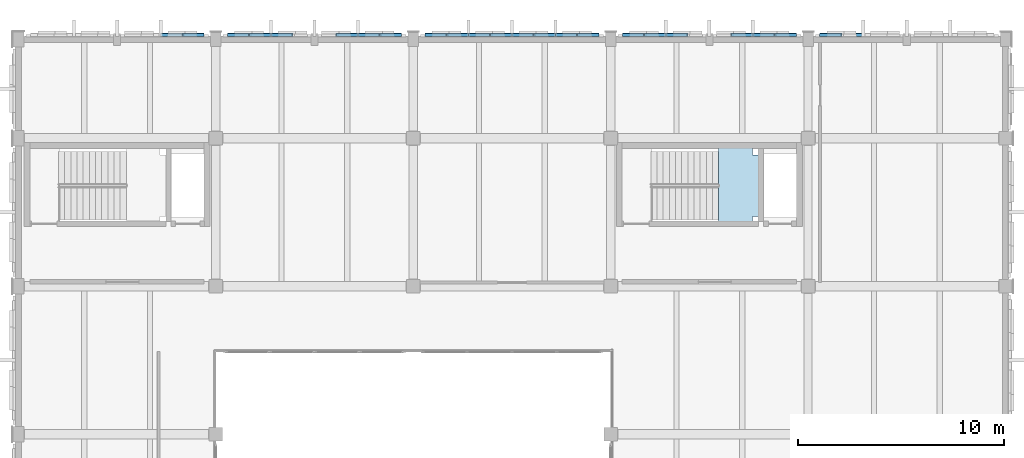
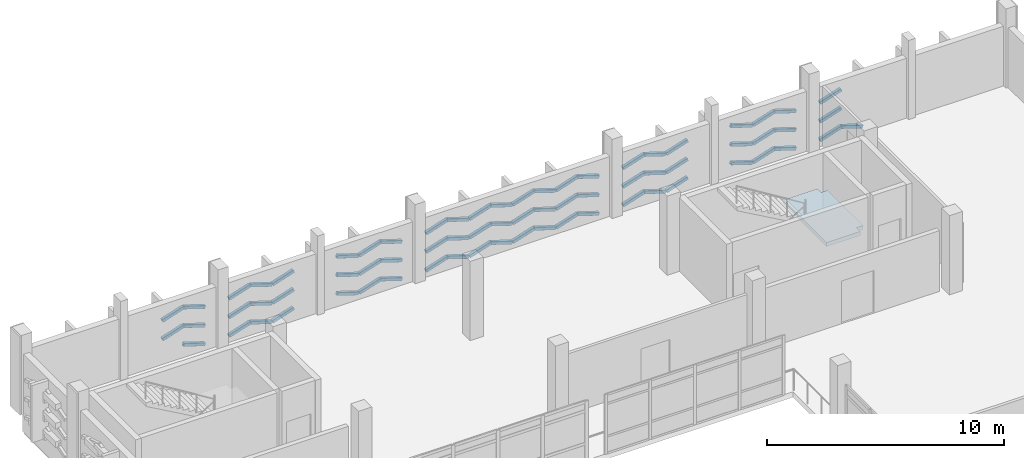
# One storey, part 43 of 72: 69 plates, 1 slab, 1 element without a shape of its own.
"""IFC4 building model written with IfcOpenShell, lengths in metres."""

from ifc_helpers import new_model, si_unit, direction, frame, origin, origin_2d, place, context, subcontext, project, spatial, polyline, hollow_rectangle, outline, extrude, material, layer, layer_set, material_profile, profile_set, type_object, element, aggregate, save


model = new_model("IFC4")

# Units and contexts
model_context = context("Model", 3, precision=1e-05, world=origin(), true_north=direction((0.0, 1.0)))
body_context = subcontext(model_context, "Body", "Model", "MODEL_VIEW")
ifc_project = project(units=[si_unit("LENGTHUNIT", "METRE"), si_unit("AREAUNIT", "SQUARE_METRE"), si_unit("VOLUMEUNIT", "CUBIC_METRE"), si_unit("PLANEANGLEUNIT", "RADIAN"), si_unit("MASSUNIT", "GRAM", prefix="KILO")], contexts=[model_context])

# Site, building, storey
site_placement = place(None, origin())
site = spatial("IfcSite", under=ifc_project, at=site_placement, CompositionType="ELEMENT")
building_placement = place(site_placement, origin())
building = spatial("IfcBuilding", under=site, at=building_placement, Name="Asteropetra Specialist Clinic", CompositionType="ELEMENT")
storey_placement = place(building_placement, frame((0.0, 0.0, 12.580078125)))
storey = spatial("IfcBuildingStorey", under=building, at=storey_placement, Name="L03", CompositionType="ELEMENT", Elevation=12.580078125)

# Plates
ifc_material_1 = material(Name="Chevron emerald aluminium 6063-T6", Category="aluminium")
ifc_material_profile = material_profile(ifc_material_1, hollow_rectangle(XDim=0.159912109375, YDim=0.159912109375, WallThickness=0.008056640625, InnerFilletRadius=0.008056640625, OuterFilletRadius=0.01611328125, at=origin_2d()), Name="SHS 160x160x8.0")
ifc_profile_set = profile_set([ifc_material_profile], Name="Chevron emerald aluminium 6063-T6")
plate_type = type_object("IfcPlateType", Name="CHV-RIB-160", PredefinedType="SHEET", material=ifc_profile_set)
plate_1_placement = place(storey_placement, frame((9.010009765625, 110.6220703125, 0.059814453125), z_axis=(-0.952021547516, 0.0, 0.306031000169), x_axis=(0.0, -1.0, 0.0)))
element("IfcPlate", 1, at=plate_1_placement, inside=storey, type_object=plate_type, Name="Chevron Facade Screen Fin CVR-1209", PredefinedType="SHEET", context=body_context, shape_type="SweptSolid", body=[
    extrude(hollow_rectangle(XDim=0.159912109375, YDim=0.159912109375, WallThickness=0.008056640625, InnerFilletRadius=0.008056640625, OuterFilletRadius=0.01611328125, at=origin_2d()), origin(), (0.0, 0.0, 1.0), 1.086669921875),
])
plate_2_placement = place(storey_placement, frame((9.010009765625, 110.6220703125, 1.02001953125), z_axis=(-0.952086993927, 0.0, 0.30582733036), x_axis=(0.0, -1.0, 0.0)))
element("IfcPlate", 2, at=plate_2_placement, inside=storey, type_object=plate_type, Name="Chevron Facade Screen Fin CVR-1211", PredefinedType="SHEET", context=body_context, shape_type="SweptSolid", body=[
    extrude(hollow_rectangle(XDim=0.159912109375, YDim=0.159912109375, WallThickness=0.008056640625, InnerFilletRadius=0.008056640625, OuterFilletRadius=0.01611328125, at=origin_2d()), origin(), (0.0, 0.0, 1.0), 1.08642578125),
])
plate_3_placement = place(storey_placement, frame((7.9755859375, 110.6220703125, 1.352294921875), z_axis=(-0.952065970179, 0.0, -0.305892772761), x_axis=(0.0, -1.0, 0.0)))
element("IfcPlate", 3, at=plate_3_placement, inside=storey, type_object=plate_type, Name="Chevron Facade Screen Fin CVR-1212", PredefinedType="SHEET", context=body_context, shape_type="SweptSolid", body=[
    extrude(hollow_rectangle(XDim=0.159912109375, YDim=0.159912109375, WallThickness=0.008056640625, InnerFilletRadius=0.008056640625, OuterFilletRadius=0.01611328125, at=origin_2d()), origin(), (0.0, 0.0, 1.0), 1.086181640625),
])
plate_4_placement = place(storey_placement, frame((9.010009765625, 110.6220703125, 1.97998046875), z_axis=(-0.952086993927, 0.0, 0.30582733036), x_axis=(0.0, -1.0, 0.0)))
element("IfcPlate", 4, at=plate_4_placement, inside=storey, type_object=plate_type, Name="Chevron Facade Screen Fin CVR-1213", PredefinedType="SHEET", context=body_context, shape_type="SweptSolid", body=[
    extrude(hollow_rectangle(XDim=0.159912109375, YDim=0.159912109375, WallThickness=0.008056640625, InnerFilletRadius=0.008056640625, OuterFilletRadius=0.01611328125, at=origin_2d()), origin(), (0.0, 0.0, 1.0), 1.08642578125),
])
plate_5_placement = place(storey_placement, frame((7.9755859375, 110.6220703125, 2.312255859375), z_axis=(-0.952065970179, 0.0, -0.305892772761), x_axis=(0.0, -1.0, 0.0)))
element("IfcPlate", 5, at=plate_5_placement, inside=storey, type_object=plate_type, Name="Chevron Facade Screen Fin CVR-1214", PredefinedType="SHEET", context=body_context, shape_type="SweptSolid", body=[
    extrude(hollow_rectangle(XDim=0.159912109375, YDim=0.159912109375, WallThickness=0.008056640625, InnerFilletRadius=0.008056640625, OuterFilletRadius=0.01611328125, at=origin_2d()), origin(), (0.0, 0.0, 1.0), 1.086181640625),
])
for number, where, z_axis, x_axis, name in (
    (6, (18.610107421875, 110.6220703125, 0.059814453125), (-0.952033222609, 0.0, 0.305994678137), (0.0, -1.0, 0.0), "Chevron Facade Screen Fin CVR-1227"),
    (7, (17.572509765625, 110.6220703125, 0.393310546875), (-0.952033222609, 0.0, -0.305994678137), (0.0, -1.0, 0.0), "Chevron Facade Screen Fin CVR-1228"),
    (8, (18.610107421875, 110.6220703125, 1.02001953125), (-0.952098462736, 0.0, 0.305791623914), (0.0, -1.0, 0.0), "Chevron Facade Screen Fin CVR-1229"),
    (9, (17.572509765625, 110.6220703125, 1.353271484375), (-0.952098462736, 0.0, -0.305791623914), (0.0, -1.0, 0.0), "Chevron Facade Screen Fin CVR-1230"),
    (10, (18.610107421875, 110.6220703125, 1.97998046875), (-0.952098462736, 0.0, 0.305791623914), (0.0, -1.0, 0.0), "Chevron Facade Screen Fin CVR-1231"),
    (11, (17.572509765625, 110.6220703125, 2.313232421875), (-0.952098462736, 0.0, -0.305791623914), (0.0, -1.0, 0.0), "Chevron Facade Screen Fin CVR-1232"),
    (12, (16.4951171875, 110.6220703125, 0.059814453125), (-0.952033222609, 0.0, 0.305994678137), (0.0, -1.0, 0.0), "Chevron Facade Screen Fin CVR-1233"),
    (13, (16.4951171875, 110.6220703125, 1.02001953125), (-0.952098462736, 0.0, 0.305791623914), (0.0, -1.0, 0.0), "Chevron Facade Screen Fin CVR-1234"),
    (14, (16.4951171875, 110.6220703125, 1.97998046875), (-0.952098462736, 0.0, 0.305791623914), (0.0, -1.0, 0.0), "Chevron Facade Screen Fin CVR-1235"),
    (15, (13.342529296875, 110.6220703125, 0.393310546875), (-0.952033222609, 0.0, -0.305994678137), (0.0, -1.0, 0.0), "Chevron Facade Screen Fin CVR-1236"),
    (16, (13.342529296875, 110.6220703125, 1.353271484375), (-0.952098462736, 0.0, -0.305791623914), (0.0, -1.0, 0.0), "Chevron Facade Screen Fin CVR-1237"),
    (17, (13.342529296875, 110.6220703125, 2.313232421875), (-0.952098462736, 0.0, -0.305791623914), (0.0, -1.0, 0.0), "Chevron Facade Screen Fin CVR-1238"),
):
    element("IfcPlate", number, at=place(storey_placement, frame(where, z_axis=z_axis, x_axis=x_axis)), inside=storey, type_object=plate_type, Name=name, PredefinedType="SHEET", context=body_context, shape_type="SweptSolid", body=[
        extrude(hollow_rectangle(XDim=0.159912109375, YDim=0.159912109375, WallThickness=0.008056640625, InnerFilletRadius=0.008056640625, OuterFilletRadius=0.01611328125, at=origin_2d()), origin(), (0.0, 0.0, 1.0), 1.08984375),
    ])
plate_6_placement = place(storey_placement, frame((12.264892578125, 110.6220703125, 0.059814453125), z_axis=(-0.952012241431, 0.0, 0.306059948646), x_axis=(0.0, -1.0, 0.0)))
element("IfcPlate", 18, at=plate_6_placement, inside=storey, type_object=plate_type, Name="Chevron Facade Screen Fin CVR-1239", PredefinedType="SHEET", context=body_context, shape_type="SweptSolid", body=[
    extrude(hollow_rectangle(XDim=0.159912109375, YDim=0.159912109375, WallThickness=0.008056640625, InnerFilletRadius=0.008056640625, OuterFilletRadius=0.01611328125, at=origin_2d()), origin(), (0.0, 0.0, 1.0), 1.089599609375),
])
plate_7_placement = place(storey_placement, frame((11.2275390625, 110.6220703125, 0.393310546875), z_axis=(-0.952033222609, 0.0, -0.305994678137), x_axis=(0.0, -1.0, 0.0)))
element("IfcPlate", 19, at=plate_7_placement, inside=storey, type_object=plate_type, Name="Chevron Facade Screen Fin CVR-1240", PredefinedType="SHEET", context=body_context, shape_type="SweptSolid", body=[
    extrude(hollow_rectangle(XDim=0.159912109375, YDim=0.159912109375, WallThickness=0.008056640625, InnerFilletRadius=0.008056640625, OuterFilletRadius=0.01611328125, at=origin_2d()), origin(), (0.0, 0.0, 1.0), 1.08984375),
])
plate_8_placement = place(storey_placement, frame((12.264892578125, 110.6220703125, 1.02001953125), z_axis=(-0.952077507958, 0.0, 0.305856860052), x_axis=(0.0, -1.0, 0.0)))
element("IfcPlate", 20, at=plate_8_placement, inside=storey, type_object=plate_type, Name="Chevron Facade Screen Fin CVR-1241", PredefinedType="SHEET", context=body_context, shape_type="SweptSolid", body=[
    extrude(hollow_rectangle(XDim=0.159912109375, YDim=0.159912109375, WallThickness=0.008056640625, InnerFilletRadius=0.008056640625, OuterFilletRadius=0.01611328125, at=origin_2d()), origin(), (0.0, 0.0, 1.0), 1.089599609375),
])
plate_9_placement = place(storey_placement, frame((11.2275390625, 110.6220703125, 1.353271484375), z_axis=(-0.952098462736, 0.0, -0.305791623914), x_axis=(0.0, -1.0, 0.0)))
element("IfcPlate", 21, at=plate_9_placement, inside=storey, type_object=plate_type, Name="Chevron Facade Screen Fin CVR-1242", PredefinedType="SHEET", context=body_context, shape_type="SweptSolid", body=[
    extrude(hollow_rectangle(XDim=0.159912109375, YDim=0.159912109375, WallThickness=0.008056640625, InnerFilletRadius=0.008056640625, OuterFilletRadius=0.01611328125, at=origin_2d()), origin(), (0.0, 0.0, 1.0), 1.08984375),
])
plate_10_placement = place(storey_placement, frame((12.264892578125, 110.6220703125, 1.97998046875), z_axis=(-0.952077507958, 0.0, 0.305856860052), x_axis=(0.0, -1.0, 0.0)))
element("IfcPlate", 22, at=plate_10_placement, inside=storey, type_object=plate_type, Name="Chevron Facade Screen Fin CVR-1243", PredefinedType="SHEET", context=body_context, shape_type="SweptSolid", body=[
    extrude(hollow_rectangle(XDim=0.159912109375, YDim=0.159912109375, WallThickness=0.008056640625, InnerFilletRadius=0.008056640625, OuterFilletRadius=0.01611328125, at=origin_2d()), origin(), (0.0, 0.0, 1.0), 1.089599609375),
])
plate_11_placement = place(storey_placement, frame((11.2275390625, 110.6220703125, 2.313232421875), z_axis=(-0.952098462736, 0.0, -0.305791623914), x_axis=(0.0, -1.0, 0.0)))
element("IfcPlate", 23, at=plate_11_placement, inside=storey, type_object=plate_type, Name="Chevron Facade Screen Fin CVR-1244", PredefinedType="SHEET", context=body_context, shape_type="SweptSolid", body=[
    extrude(hollow_rectangle(XDim=0.159912109375, YDim=0.159912109375, WallThickness=0.008056640625, InnerFilletRadius=0.008056640625, OuterFilletRadius=0.01611328125, at=origin_2d()), origin(), (0.0, 0.0, 1.0), 1.08984375),
])
plate_12_placement = place(storey_placement, frame((28.2099609375, 110.6220703125, 0.059814453125), z_axis=(-0.952012241431, 0.0, 0.306059948646), x_axis=(0.0, -1.0, 0.0)))
element("IfcPlate", 24, at=plate_12_placement, inside=storey, type_object=plate_type, Name="Chevron Facade Screen Fin CVR-1245", PredefinedType="SHEET", context=body_context, shape_type="SweptSolid", body=[
    extrude(hollow_rectangle(XDim=0.159912109375, YDim=0.159912109375, WallThickness=0.008056640625, InnerFilletRadius=0.008056640625, OuterFilletRadius=0.01611328125, at=origin_2d()), origin(), (0.0, 0.0, 1.0), 1.089599609375),
])
plate_13_placement = place(storey_placement, frame((27.172607421875, 110.6220703125, 0.393310546875), z_axis=(-0.952033222609, 0.0, -0.305994678137), x_axis=(0.0, -1.0, 0.0)))
element("IfcPlate", 25, at=plate_13_placement, inside=storey, type_object=plate_type, Name="Chevron Facade Screen Fin CVR-1246", PredefinedType="SHEET", context=body_context, shape_type="SweptSolid", body=[
    extrude(hollow_rectangle(XDim=0.159912109375, YDim=0.159912109375, WallThickness=0.008056640625, InnerFilletRadius=0.008056640625, OuterFilletRadius=0.01611328125, at=origin_2d()), origin(), (0.0, 0.0, 1.0), 1.08984375),
])
plate_14_placement = place(storey_placement, frame((28.2099609375, 110.6220703125, 1.02001953125), z_axis=(-0.952077507958, 0.0, 0.305856860052), x_axis=(0.0, -1.0, 0.0)))
element("IfcPlate", 26, at=plate_14_placement, inside=storey, type_object=plate_type, Name="Chevron Facade Screen Fin CVR-1247", PredefinedType="SHEET", context=body_context, shape_type="SweptSolid", body=[
    extrude(hollow_rectangle(XDim=0.159912109375, YDim=0.159912109375, WallThickness=0.008056640625, InnerFilletRadius=0.008056640625, OuterFilletRadius=0.01611328125, at=origin_2d()), origin(), (0.0, 0.0, 1.0), 1.089599609375),
])
plate_15_placement = place(storey_placement, frame((27.172607421875, 110.6220703125, 1.353271484375), z_axis=(-0.952098462736, 0.0, -0.305791623914), x_axis=(0.0, -1.0, 0.0)))
element("IfcPlate", 27, at=plate_15_placement, inside=storey, type_object=plate_type, Name="Chevron Facade Screen Fin CVR-1248", PredefinedType="SHEET", context=body_context, shape_type="SweptSolid", body=[
    extrude(hollow_rectangle(XDim=0.159912109375, YDim=0.159912109375, WallThickness=0.008056640625, InnerFilletRadius=0.008056640625, OuterFilletRadius=0.01611328125, at=origin_2d()), origin(), (0.0, 0.0, 1.0), 1.08984375),
])
plate_16_placement = place(storey_placement, frame((28.2099609375, 110.6220703125, 1.97998046875), z_axis=(-0.952077507958, 0.0, 0.305856860052), x_axis=(0.0, -1.0, 0.0)))
element("IfcPlate", 28, at=plate_16_placement, inside=storey, type_object=plate_type, Name="Chevron Facade Screen Fin CVR-1249", PredefinedType="SHEET", context=body_context, shape_type="SweptSolid", body=[
    extrude(hollow_rectangle(XDim=0.159912109375, YDim=0.159912109375, WallThickness=0.008056640625, InnerFilletRadius=0.008056640625, OuterFilletRadius=0.01611328125, at=origin_2d()), origin(), (0.0, 0.0, 1.0), 1.089599609375),
])
plate_17_placement = place(storey_placement, frame((27.172607421875, 110.6220703125, 2.313232421875), z_axis=(-0.952098462736, 0.0, -0.305791623914), x_axis=(0.0, -1.0, 0.0)))
element("IfcPlate", 29, at=plate_17_placement, inside=storey, type_object=plate_type, Name="Chevron Facade Screen Fin CVR-1250", PredefinedType="SHEET", context=body_context, shape_type="SweptSolid", body=[
    extrude(hollow_rectangle(XDim=0.159912109375, YDim=0.159912109375, WallThickness=0.008056640625, InnerFilletRadius=0.008056640625, OuterFilletRadius=0.01611328125, at=origin_2d()), origin(), (0.0, 0.0, 1.0), 1.08984375),
])
plate_18_placement = place(storey_placement, frame((26.094970703125, 110.6220703125, 0.059814453125), z_axis=(-0.952012241431, 0.0, 0.306059948646), x_axis=(0.0, -1.0, 0.0)))
element("IfcPlate", 30, at=plate_18_placement, inside=storey, type_object=plate_type, Name="Chevron Facade Screen Fin CVR-1251", PredefinedType="SHEET", context=body_context, shape_type="SweptSolid", body=[
    extrude(hollow_rectangle(XDim=0.159912109375, YDim=0.159912109375, WallThickness=0.008056640625, InnerFilletRadius=0.008056640625, OuterFilletRadius=0.01611328125, at=origin_2d()), origin(), (0.0, 0.0, 1.0), 1.089599609375),
])
plate_19_placement = place(storey_placement, frame((25.0576171875, 110.6220703125, 0.393310546875), z_axis=(-0.952033222609, 0.0, -0.305994678137), x_axis=(0.0, -1.0, 0.0)))
element("IfcPlate", 31, at=plate_19_placement, inside=storey, type_object=plate_type, Name="Chevron Facade Screen Fin CVR-1252", PredefinedType="SHEET", context=body_context, shape_type="SweptSolid", body=[
    extrude(hollow_rectangle(XDim=0.159912109375, YDim=0.159912109375, WallThickness=0.008056640625, InnerFilletRadius=0.008056640625, OuterFilletRadius=0.01611328125, at=origin_2d()), origin(), (0.0, 0.0, 1.0), 1.08984375),
])
plate_20_placement = place(storey_placement, frame((26.094970703125, 110.6220703125, 1.02001953125), z_axis=(-0.952077507958, 0.0, 0.305856860052), x_axis=(0.0, -1.0, 0.0)))
element("IfcPlate", 32, at=plate_20_placement, inside=storey, type_object=plate_type, Name="Chevron Facade Screen Fin CVR-1253", PredefinedType="SHEET", context=body_context, shape_type="SweptSolid", body=[
    extrude(hollow_rectangle(XDim=0.159912109375, YDim=0.159912109375, WallThickness=0.008056640625, InnerFilletRadius=0.008056640625, OuterFilletRadius=0.01611328125, at=origin_2d()), origin(), (0.0, 0.0, 1.0), 1.089599609375),
])
plate_21_placement = place(storey_placement, frame((25.0576171875, 110.6220703125, 1.353271484375), z_axis=(-0.952098462736, 0.0, -0.305791623914), x_axis=(0.0, -1.0, 0.0)))
element("IfcPlate", 33, at=plate_21_placement, inside=storey, type_object=plate_type, Name="Chevron Facade Screen Fin CVR-1254", PredefinedType="SHEET", context=body_context, shape_type="SweptSolid", body=[
    extrude(hollow_rectangle(XDim=0.159912109375, YDim=0.159912109375, WallThickness=0.008056640625, InnerFilletRadius=0.008056640625, OuterFilletRadius=0.01611328125, at=origin_2d()), origin(), (0.0, 0.0, 1.0), 1.08984375),
])
plate_22_placement = place(storey_placement, frame((26.094970703125, 110.6220703125, 1.97998046875), z_axis=(-0.952077507958, 0.0, 0.305856860052), x_axis=(0.0, -1.0, 0.0)))
element("IfcPlate", 34, at=plate_22_placement, inside=storey, type_object=plate_type, Name="Chevron Facade Screen Fin CVR-1255", PredefinedType="SHEET", context=body_context, shape_type="SweptSolid", body=[
    extrude(hollow_rectangle(XDim=0.159912109375, YDim=0.159912109375, WallThickness=0.008056640625, InnerFilletRadius=0.008056640625, OuterFilletRadius=0.01611328125, at=origin_2d()), origin(), (0.0, 0.0, 1.0), 1.089599609375),
])
for number, where, z_axis, x_axis, name in (
    (35, (25.0576171875, 110.6220703125, 2.313232421875), (-0.952098462736, 0.0, -0.305791623914), (0.0, -1.0, 0.0), "Chevron Facade Screen Fin CVR-1256"),
    (36, (23.97998046875, 110.6220703125, 0.059814453125), (-0.952033222609, 0.0, 0.305994678137), (0.0, -1.0, 0.0), "Chevron Facade Screen Fin CVR-1257"),
):
    element("IfcPlate", number, at=place(storey_placement, frame(where, z_axis=z_axis, x_axis=x_axis)), inside=storey, type_object=plate_type, Name=name, PredefinedType="SHEET", context=body_context, shape_type="SweptSolid", body=[
        extrude(hollow_rectangle(XDim=0.159912109375, YDim=0.159912109375, WallThickness=0.008056640625, InnerFilletRadius=0.008056640625, OuterFilletRadius=0.01611328125, at=origin_2d()), origin(), (0.0, 0.0, 1.0), 1.08984375),
    ])
plate_23_placement = place(storey_placement, frame((22.9423828125, 110.6220703125, 0.393310546875), z_axis=(-0.952012241431, 0.0, -0.306059948646), x_axis=(0.0, -1.0, 0.0)))
element("IfcPlate", 37, at=plate_23_placement, inside=storey, type_object=plate_type, Name="Chevron Facade Screen Fin CVR-1258", PredefinedType="SHEET", context=body_context, shape_type="SweptSolid", body=[
    extrude(hollow_rectangle(XDim=0.159912109375, YDim=0.159912109375, WallThickness=0.008056640625, InnerFilletRadius=0.008056640625, OuterFilletRadius=0.01611328125, at=origin_2d()), origin(), (0.0, 0.0, 1.0), 1.089599609375),
])
plate_24_placement = place(storey_placement, frame((23.97998046875, 110.6220703125, 1.02001953125), z_axis=(-0.952098462736, 0.0, 0.305791623914), x_axis=(0.0, -1.0, 0.0)))
element("IfcPlate", 38, at=plate_24_placement, inside=storey, type_object=plate_type, Name="Chevron Facade Screen Fin CVR-1259", PredefinedType="SHEET", context=body_context, shape_type="SweptSolid", body=[
    extrude(hollow_rectangle(XDim=0.159912109375, YDim=0.159912109375, WallThickness=0.008056640625, InnerFilletRadius=0.008056640625, OuterFilletRadius=0.01611328125, at=origin_2d()), origin(), (0.0, 0.0, 1.0), 1.08984375),
])
plate_25_placement = place(storey_placement, frame((22.9423828125, 110.6220703125, 1.353271484375), z_axis=(-0.952077507958, 0.0, -0.305856860052), x_axis=(0.0, -1.0, 0.0)))
element("IfcPlate", 39, at=plate_25_placement, inside=storey, type_object=plate_type, Name="Chevron Facade Screen Fin CVR-1260", PredefinedType="SHEET", context=body_context, shape_type="SweptSolid", body=[
    extrude(hollow_rectangle(XDim=0.159912109375, YDim=0.159912109375, WallThickness=0.008056640625, InnerFilletRadius=0.008056640625, OuterFilletRadius=0.01611328125, at=origin_2d()), origin(), (0.0, 0.0, 1.0), 1.089599609375),
])
plate_26_placement = place(storey_placement, frame((23.97998046875, 110.6220703125, 1.97998046875), z_axis=(-0.952098462736, 0.0, 0.305791623914), x_axis=(0.0, -1.0, 0.0)))
element("IfcPlate", 40, at=plate_26_placement, inside=storey, type_object=plate_type, Name="Chevron Facade Screen Fin CVR-1261", PredefinedType="SHEET", context=body_context, shape_type="SweptSolid", body=[
    extrude(hollow_rectangle(XDim=0.159912109375, YDim=0.159912109375, WallThickness=0.008056640625, InnerFilletRadius=0.008056640625, OuterFilletRadius=0.01611328125, at=origin_2d()), origin(), (0.0, 0.0, 1.0), 1.08984375),
])
plate_27_placement = place(storey_placement, frame((22.9423828125, 110.6220703125, 2.313232421875), z_axis=(-0.952077507958, 0.0, -0.305856860052), x_axis=(0.0, -1.0, 0.0)))
element("IfcPlate", 41, at=plate_27_placement, inside=storey, type_object=plate_type, Name="Chevron Facade Screen Fin CVR-1262", PredefinedType="SHEET", context=body_context, shape_type="SweptSolid", body=[
    extrude(hollow_rectangle(XDim=0.159912109375, YDim=0.159912109375, WallThickness=0.008056640625, InnerFilletRadius=0.008056640625, OuterFilletRadius=0.01611328125, at=origin_2d()), origin(), (0.0, 0.0, 1.0), 1.089599609375),
])
plate_28_placement = place(storey_placement, frame((21.864990234375, 110.6220703125, 0.059814453125), z_axis=(-0.952033222609, 0.0, 0.305994678137), x_axis=(0.0, -1.0, 0.0)))
element("IfcPlate", 42, at=plate_28_placement, inside=storey, type_object=plate_type, Name="Chevron Facade Screen Fin CVR-1263", PredefinedType="SHEET", context=body_context, shape_type="SweptSolid", body=[
    extrude(hollow_rectangle(XDim=0.159912109375, YDim=0.159912109375, WallThickness=0.008056640625, InnerFilletRadius=0.008056640625, OuterFilletRadius=0.01611328125, at=origin_2d()), origin(), (0.0, 0.0, 1.0), 1.08984375),
])
plate_29_placement = place(storey_placement, frame((20.827392578125, 110.6220703125, 0.393310546875), z_axis=(-0.952012241431, 0.0, -0.306059948646), x_axis=(0.0, -1.0, 0.0)))
element("IfcPlate", 43, at=plate_29_placement, inside=storey, type_object=plate_type, Name="Chevron Facade Screen Fin CVR-1264", PredefinedType="SHEET", context=body_context, shape_type="SweptSolid", body=[
    extrude(hollow_rectangle(XDim=0.159912109375, YDim=0.159912109375, WallThickness=0.008056640625, InnerFilletRadius=0.008056640625, OuterFilletRadius=0.01611328125, at=origin_2d()), origin(), (0.0, 0.0, 1.0), 1.089599609375),
])
plate_30_placement = place(storey_placement, frame((21.864990234375, 110.6220703125, 1.02001953125), z_axis=(-0.952098462736, 0.0, 0.305791623914), x_axis=(0.0, -1.0, 0.0)))
element("IfcPlate", 44, at=plate_30_placement, inside=storey, type_object=plate_type, Name="Chevron Facade Screen Fin CVR-1265", PredefinedType="SHEET", context=body_context, shape_type="SweptSolid", body=[
    extrude(hollow_rectangle(XDim=0.159912109375, YDim=0.159912109375, WallThickness=0.008056640625, InnerFilletRadius=0.008056640625, OuterFilletRadius=0.01611328125, at=origin_2d()), origin(), (0.0, 0.0, 1.0), 1.08984375),
])
plate_31_placement = place(storey_placement, frame((20.827392578125, 110.6220703125, 1.353271484375), z_axis=(-0.952077507958, 0.0, -0.305856860052), x_axis=(0.0, -1.0, 0.0)))
element("IfcPlate", 45, at=plate_31_placement, inside=storey, type_object=plate_type, Name="Chevron Facade Screen Fin CVR-1266", PredefinedType="SHEET", context=body_context, shape_type="SweptSolid", body=[
    extrude(hollow_rectangle(XDim=0.159912109375, YDim=0.159912109375, WallThickness=0.008056640625, InnerFilletRadius=0.008056640625, OuterFilletRadius=0.01611328125, at=origin_2d()), origin(), (0.0, 0.0, 1.0), 1.089599609375),
])
plate_32_placement = place(storey_placement, frame((21.864990234375, 110.6220703125, 1.97998046875), z_axis=(-0.952098462736, 0.0, 0.305791623914), x_axis=(0.0, -1.0, 0.0)))
element("IfcPlate", 46, at=plate_32_placement, inside=storey, type_object=plate_type, Name="Chevron Facade Screen Fin CVR-1267", PredefinedType="SHEET", context=body_context, shape_type="SweptSolid", body=[
    extrude(hollow_rectangle(XDim=0.159912109375, YDim=0.159912109375, WallThickness=0.008056640625, InnerFilletRadius=0.008056640625, OuterFilletRadius=0.01611328125, at=origin_2d()), origin(), (0.0, 0.0, 1.0), 1.08984375),
])
plate_33_placement = place(storey_placement, frame((20.827392578125, 110.6220703125, 2.313232421875), z_axis=(-0.952077507958, 0.0, -0.305856860052), x_axis=(0.0, -1.0, 0.0)))
element("IfcPlate", 47, at=plate_33_placement, inside=storey, type_object=plate_type, Name="Chevron Facade Screen Fin CVR-1268", PredefinedType="SHEET", context=body_context, shape_type="SweptSolid", body=[
    extrude(hollow_rectangle(XDim=0.159912109375, YDim=0.159912109375, WallThickness=0.008056640625, InnerFilletRadius=0.008056640625, OuterFilletRadius=0.01611328125, at=origin_2d()), origin(), (0.0, 0.0, 1.0), 1.089599609375),
])
plate_34_placement = place(storey_placement, frame((37.81005859375, 110.6220703125, 0.059814453125), z_axis=(-0.952033222609, 0.0, 0.305994678137), x_axis=(0.0, -1.0, 0.0)))
element("IfcPlate", 48, at=plate_34_placement, inside=storey, type_object=plate_type, Name="Chevron Facade Screen Fin CVR-1287", PredefinedType="SHEET", context=body_context, shape_type="SweptSolid", body=[
    extrude(hollow_rectangle(XDim=0.159912109375, YDim=0.159912109375, WallThickness=0.008056640625, InnerFilletRadius=0.008056640625, OuterFilletRadius=0.01611328125, at=origin_2d()), origin(), (0.0, 0.0, 1.0), 1.08984375),
])
plate_35_placement = place(storey_placement, frame((36.7724609375, 110.6220703125, 0.393310546875), z_axis=(-0.952012241431, 0.0, -0.306059948646), x_axis=(0.0, -1.0, 0.0)))
element("IfcPlate", 49, at=plate_35_placement, inside=storey, type_object=plate_type, Name="Chevron Facade Screen Fin CVR-1288", PredefinedType="SHEET", context=body_context, shape_type="SweptSolid", body=[
    extrude(hollow_rectangle(XDim=0.159912109375, YDim=0.159912109375, WallThickness=0.008056640625, InnerFilletRadius=0.008056640625, OuterFilletRadius=0.01611328125, at=origin_2d()), origin(), (0.0, 0.0, 1.0), 1.089599609375),
])
plate_36_placement = place(storey_placement, frame((37.81005859375, 110.6220703125, 1.02001953125), z_axis=(-0.952098462736, 0.0, 0.305791623914), x_axis=(0.0, -1.0, 0.0)))
element("IfcPlate", 50, at=plate_36_placement, inside=storey, type_object=plate_type, Name="Chevron Facade Screen Fin CVR-1289", PredefinedType="SHEET", context=body_context, shape_type="SweptSolid", body=[
    extrude(hollow_rectangle(XDim=0.159912109375, YDim=0.159912109375, WallThickness=0.008056640625, InnerFilletRadius=0.008056640625, OuterFilletRadius=0.01611328125, at=origin_2d()), origin(), (0.0, 0.0, 1.0), 1.08984375),
])
plate_37_placement = place(storey_placement, frame((36.7724609375, 110.6220703125, 1.353271484375), z_axis=(-0.952077507958, 0.0, -0.305856860052), x_axis=(0.0, -1.0, 0.0)))
element("IfcPlate", 51, at=plate_37_placement, inside=storey, type_object=plate_type, Name="Chevron Facade Screen Fin CVR-1290", PredefinedType="SHEET", context=body_context, shape_type="SweptSolid", body=[
    extrude(hollow_rectangle(XDim=0.159912109375, YDim=0.159912109375, WallThickness=0.008056640625, InnerFilletRadius=0.008056640625, OuterFilletRadius=0.01611328125, at=origin_2d()), origin(), (0.0, 0.0, 1.0), 1.089599609375),
])
plate_38_placement = place(storey_placement, frame((37.81005859375, 110.6220703125, 1.97998046875), z_axis=(-0.952098462736, 0.0, 0.305791623914), x_axis=(0.0, -1.0, 0.0)))
element("IfcPlate", 52, at=plate_38_placement, inside=storey, type_object=plate_type, Name="Chevron Facade Screen Fin CVR-1291", PredefinedType="SHEET", context=body_context, shape_type="SweptSolid", body=[
    extrude(hollow_rectangle(XDim=0.159912109375, YDim=0.159912109375, WallThickness=0.008056640625, InnerFilletRadius=0.008056640625, OuterFilletRadius=0.01611328125, at=origin_2d()), origin(), (0.0, 0.0, 1.0), 1.08984375),
])
plate_39_placement = place(storey_placement, frame((36.7724609375, 110.6220703125, 2.313232421875), z_axis=(-0.952077507958, 0.0, -0.305856860052), x_axis=(0.0, -1.0, 0.0)))
element("IfcPlate", 53, at=plate_39_placement, inside=storey, type_object=plate_type, Name="Chevron Facade Screen Fin CVR-1292", PredefinedType="SHEET", context=body_context, shape_type="SweptSolid", body=[
    extrude(hollow_rectangle(XDim=0.159912109375, YDim=0.159912109375, WallThickness=0.008056640625, InnerFilletRadius=0.008056640625, OuterFilletRadius=0.01611328125, at=origin_2d()), origin(), (0.0, 0.0, 1.0), 1.089599609375),
])
for number, where, z_axis, x_axis, name in (
    (54, (35.695068359375, 110.6220703125, 0.059814453125), (-0.952033222609, 0.0, 0.305994678137), (0.0, -1.0, 0.0), "Chevron Facade Screen Fin CVR-1293"),
    (55, (35.695068359375, 110.6220703125, 1.02001953125), (-0.952098462736, 0.0, 0.305791623914), (0.0, -1.0, 0.0), "Chevron Facade Screen Fin CVR-1294"),
    (56, (35.695068359375, 110.6220703125, 1.97998046875), (-0.952098462736, 0.0, 0.305791623914), (0.0, -1.0, 0.0), "Chevron Facade Screen Fin CVR-1295"),
    (57, (32.54248046875, 110.6220703125, 0.393310546875), (-0.952033222609, 0.0, -0.305994678137), (0.0, -1.0, 0.0), "Chevron Facade Screen Fin CVR-1296"),
    (58, (32.54248046875, 110.6220703125, 1.353271484375), (-0.952098462736, 0.0, -0.305791623914), (0.0, -1.0, 0.0), "Chevron Facade Screen Fin CVR-1297"),
    (59, (32.54248046875, 110.6220703125, 2.313232421875), (-0.952098462736, 0.0, -0.305791623914), (0.0, -1.0, 0.0), "Chevron Facade Screen Fin CVR-1298"),
    (60, (31.465087890625, 110.6220703125, 0.059814453125), (-0.952033222609, 0.0, 0.305994678137), (0.0, -1.0, 0.0), "Chevron Facade Screen Fin CVR-1299"),
    (61, (30.427490234375, 110.6220703125, 0.393310546875), (-0.952033222609, 0.0, -0.305994678137), (0.0, -1.0, 0.0), "Chevron Facade Screen Fin CVR-1300"),
    (62, (31.465087890625, 110.6220703125, 1.02001953125), (-0.952098462736, 0.0, 0.305791623914), (0.0, -1.0, 0.0), "Chevron Facade Screen Fin CVR-1301"),
    (63, (30.427490234375, 110.6220703125, 1.353271484375), (-0.952098462736, 0.0, -0.305791623914), (0.0, -1.0, 0.0), "Chevron Facade Screen Fin CVR-1302"),
    (64, (31.465087890625, 110.6220703125, 1.97998046875), (-0.952098462736, 0.0, 0.305791623914), (0.0, -1.0, 0.0), "Chevron Facade Screen Fin CVR-1303"),
    (65, (30.427490234375, 110.6220703125, 2.313232421875), (-0.952098462736, 0.0, -0.305791623914), (0.0, -1.0, 0.0), "Chevron Facade Screen Fin CVR-1304"),
):
    element("IfcPlate", number, at=place(storey_placement, frame(where, z_axis=z_axis, x_axis=x_axis)), inside=storey, type_object=plate_type, Name=name, PredefinedType="SHEET", context=body_context, shape_type="SweptSolid", body=[
        extrude(hollow_rectangle(XDim=0.159912109375, YDim=0.159912109375, WallThickness=0.008056640625, InnerFilletRadius=0.008056640625, OuterFilletRadius=0.01611328125, at=origin_2d()), origin(), (0.0, 0.0, 1.0), 1.08984375),
    ])
plate_40_placement = place(storey_placement, frame((41.06494140625, 110.6220703125, 0.059814453125), z_axis=(-0.952012241431, 0.0, 0.306059948646), x_axis=(0.0, -1.0, 0.0)))
element("IfcPlate", 66, at=plate_40_placement, inside=storey, type_object=plate_type, Name="Chevron Facade Screen Fin CVR-1335", PredefinedType="SHEET", context=body_context, shape_type="SweptSolid", body=[
    extrude(hollow_rectangle(XDim=0.159912109375, YDim=0.159912109375, WallThickness=0.008056640625, InnerFilletRadius=0.008056640625, OuterFilletRadius=0.01611328125, at=origin_2d()), origin(), (0.0, 0.0, 1.0), 1.089599609375),
])
for number, where, z_axis, x_axis, name in (
    (67, (40.027587890625, 110.6220703125, 0.393310546875), (-0.952033222609, 0.0, -0.305994678137), (0.0, -1.0, 0.0), "Chevron Facade Screen Fin CVR-1336"),
    (68, (40.027587890625, 110.6220703125, 1.353271484375), (-0.952098462736, 0.0, -0.305791623914), (0.0, -1.0, 0.0), "Chevron Facade Screen Fin CVR-1338"),
    (69, (40.027587890625, 110.6220703125, 2.313232421875), (-0.952098462736, 0.0, -0.305791623914), (0.0, -1.0, 0.0), "Chevron Facade Screen Fin CVR-1340"),
):
    element("IfcPlate", number, at=place(storey_placement, frame(where, z_axis=z_axis, x_axis=x_axis)), inside=storey, type_object=plate_type, Name=name, PredefinedType="SHEET", context=body_context, shape_type="SweptSolid", body=[
        extrude(hollow_rectangle(XDim=0.159912109375, YDim=0.159912109375, WallThickness=0.008056640625, InnerFilletRadius=0.008056640625, OuterFilletRadius=0.01611328125, at=origin_2d()), origin(), (0.0, 0.0, 1.0), 1.08984375),
    ])

# Stair, slab
ifc_material_2 = material(Name="Concrete C35/45", Category="concrete")
stair_type = type_object("IfcStairType", Name="STR-DOG-165", PredefinedType="TWO_STRAIGHT_RUN_STAIR", material=ifc_material_2)
stair_placement = place(storey_placement, origin())
stair = element("IfcStair", 70, at=stair_placement, inside=storey, type_object=stair_type, Name="Type I Stair ST02-L03", PredefinedType="TWO_STRAIGHT_RUN_STAIR")
ifc_material_3 = material(Name="Concrete C35/45", Category="concrete")
ifc_layer = layer(ifc_material_3, 0.199951171875)
ifc_layer_set = layer_set([ifc_layer], Name="Concrete C35/45")
slab_type = type_object("IfcSlabType", Name="SLB-LND-200", PredefinedType="LANDING", material=ifc_layer_set)
slab_placement = place(storey_placement, frame((0.0, 0.0, 1.83984375)))
slab = element("IfcSlab", 71, at=slab_placement, type_object=slab_type, Name="ST02-L03 landing 1", PredefinedType="LANDING", context=body_context, shape_type="SweptSolid", body=[
    extrude(outline(polyline([(34.050048828125, 101.469970703125), (35.699951171875, 101.469970703125), (35.699951171875, 101.7900390625), (36.02001953125, 101.7900390625), (36.02001953125, 104.7900390625), (35.699951171875, 104.7900390625), (35.699951171875, 105.110107421875), (34.050048828125, 105.110107421875), (34.050048828125, 101.469970703125)])), origin(), (0.0, 0.0, 1.0), 0.2001953125),
])
aggregate(stair, [slab])

save(model, "model.ifc")
